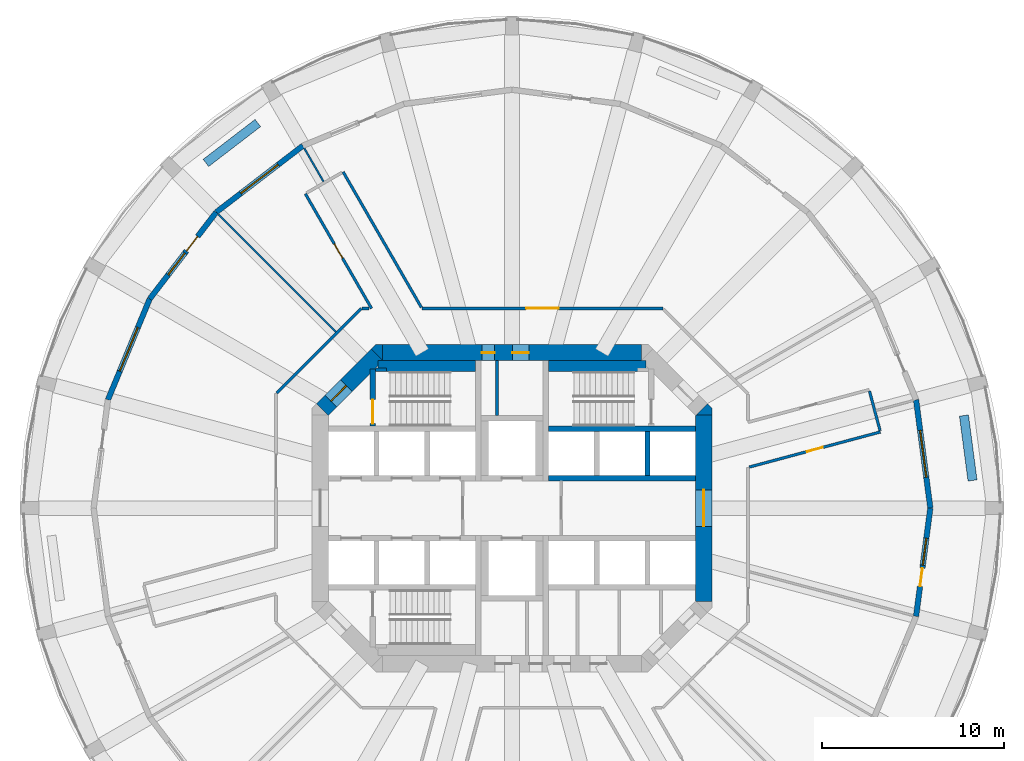
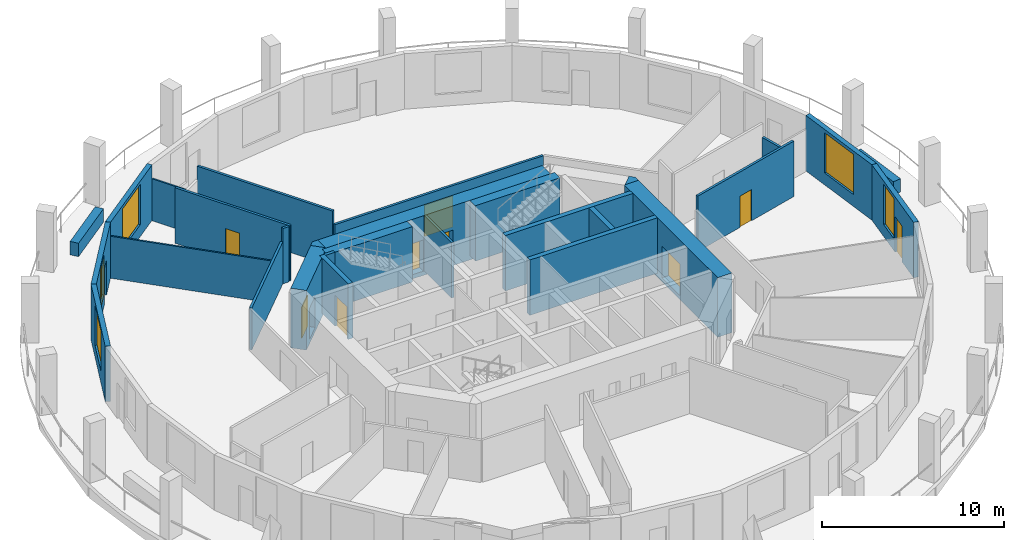
# One storey, part 5 of 9: 29 walls, 10 doors, 5 windows, 15 openings.
"""IFC4 building model written with IfcOpenShell, lengths in metres."""

from ifc_helpers import new_model, si_unit, direction, frame, frame_2d, origin, place, context, subcontext, project, spatial, polyline, rectangle, outline, extrude, material, layer, layer_set, type_object, element, fill, save


model = new_model("IFC4")

# Units and contexts
model_context = context("Model", 3, precision=1e-05, world=origin(), true_north=direction((0.0, 1.0)))
body_context = subcontext(model_context, "Body", "Model", "MODEL_VIEW")
ifc_project = project(units=[si_unit("LENGTHUNIT", "METRE"), si_unit("AREAUNIT", "SQUARE_METRE"), si_unit("VOLUMEUNIT", "CUBIC_METRE"), si_unit("PLANEANGLEUNIT", "RADIAN"), si_unit("MASSUNIT", "GRAM", prefix="KILO")], contexts=[model_context])

# Site, building, storey
site_placement = place(None, origin())
site = spatial("IfcSite", under=ifc_project, at=site_placement, CompositionType="ELEMENT")
building_placement = place(site_placement, origin())
building = spatial("IfcBuilding", under=site, at=building_placement, Name="Torre Triforio", CompositionType="ELEMENT")
storey_placement = place(building_placement, frame((0.0, 0.0, 59.0)))
storey = spatial("IfcBuildingStorey", under=building, at=storey_placement, Name="L12", CompositionType="ELEMENT", Elevation=59.0)

# Wall, openings, doors
ifc_material_1 = material(Name="Concrete C60", Category="concrete")
ifc_layer_1 = layer(ifc_material_1, 0.89990234375)
ifc_layer_set_1 = layer_set([ifc_layer_1], Name="Concrete C60")
wall_type_1 = type_object("IfcWallType", Name="Core wall 900 mm C60 EI 120", PredefinedType="SHEAR", material=ifc_layer_set_1)
wall_1_placement = place(storey_placement, frame((-7.1298828125, 8.550048828125, -0.280029296875), z_axis=(0.0, 0.0, 1.0), x_axis=(1.0, 0.0, 0.0)))
wall_1 = element("IfcWall", 1, at=wall_1_placement, inside=storey, type_object=wall_type_1, Name="Core wall", PredefinedType="SHEAR", context=body_context, shape_type="SweptSolid", body=[
    extrude(rectangle(XDim=14.259765625, YDim=0.89990234375, at=frame_2d((7.1298828125, 0.0))), origin(), (0.0, 0.0, 1.0), 4.0),
])
opening_1_placement = place(wall_1_placement, frame((5.47998046875, 0.0, 0.280029296875)))
opening_1 = element("IfcOpeningElement", 2, at=opening_1_placement, cuts=wall_1, Name="Opening RISER-N", PredefinedType="OPENING", context=body_context, shape_type="SweptSolid", body=[
    extrude(rectangle(XDim=0.699951171875, YDim=2.10009765625, at=frame_2d((0.35009765625, 1.050048828125))), frame((0.0, 0.4599609375, 0.0), z_axis=(0.0, -1.0, 0.0), x_axis=(1.0, 0.0, 0.0)), (0.0, 0.0, 1.0), 0.919921875),
])
opening_2_placement = place(wall_1_placement, frame((7.155029296875, 0.0, 0.280029296875)))
opening_2 = element("IfcOpeningElement", 3, at=opening_2_placement, cuts=wall_1, Name="Opening NE-01", PredefinedType="OPENING", context=body_context, shape_type="SweptSolid", body=[
    extrude(rectangle(XDim=0.89990234375, YDim=2.10009765625, at=frame_2d((0.449951171875, 1.050048828125))), frame((0.0, 0.4599609375, 0.0), z_axis=(0.0, -1.0, 0.0), x_axis=(1.0, 0.0, 0.0)), (0.0, 0.0, 1.0), 0.919921875),
])
ifc_material_2 = material(Name="Hollow metal fire door leaf")
door_type_1 = type_object("IfcDoorType", Name="Riser door 700 x 2100 EI 60", OperationType="NOTDEFINED", PredefinedType="DOOR", material=ifc_material_2)
door_1_placement = place(opening_1_placement, origin())
door_1 = element("IfcDoor", 4, at=door_1_placement, inside=storey, type_object=door_type_1, Name="Core door RISER-N", OperationType="SINGLE_SWING_LEFT", OverallHeight=2.10009765625, OverallWidth=0.699951171875, PredefinedType="DOOR", context=body_context, shape_type="SweptSolid", body=[
    extrude(rectangle(XDim=0.699951171875, YDim=2.10009765625, at=frame_2d((0.35009765625, 1.050048828125))), frame((0.0, 0.02490234375, 0.0), z_axis=(0.0, -1.0, 0.0), x_axis=(1.0, 0.0, 0.0)), (0.0, 0.0, 1.0), 0.050048828125),
])
fill(opening_1, door_1)
door_type_2 = type_object("IfcDoorType", Name="Room door 900 x 2100 EI 60", OperationType="NOTDEFINED", PredefinedType="DOOR", material=ifc_material_2)
door_2_placement = place(opening_2_placement, origin())
door_2 = element("IfcDoor", 5, at=door_2_placement, inside=storey, type_object=door_type_2, Name="Core door NE-01", OperationType="SINGLE_SWING_RIGHT", OverallHeight=2.10009765625, OverallWidth=0.89990234375, PredefinedType="DOOR", context=body_context, shape_type="SweptSolid", body=[
    extrude(rectangle(XDim=0.89990234375, YDim=2.10009765625, at=frame_2d((0.449951171875, 1.050048828125))), frame((0.0, 0.02490234375, 0.0), z_axis=(0.0, -1.0, 0.0), x_axis=(1.0, 0.0, 0.0)), (0.0, 0.0, 1.0), 0.050048828125),
])
fill(opening_2, door_2)

# Wall, opening, door
wall_2_placement = place(storey_placement, frame((10.550048828125, -5.1298828125, -0.280029296875), z_axis=(0.0, 0.0, 1.0), x_axis=(0.0, 1.0, 0.0)))
wall_2 = element("IfcWall", 6, at=wall_2_placement, inside=storey, type_object=wall_type_1, Name="Core wall", PredefinedType="SHEAR", context=body_context, shape_type="SweptSolid", body=[
    extrude(rectangle(XDim=10.259765625, YDim=0.89990234375, at=frame_2d((5.1298828125, 0.0))), origin(), (0.0, 0.0, 1.0), 4.0),
])
opening_3_placement = place(wall_2_placement, frame((4.1298828125, 0.0, 0.280029296875)))
opening_3 = element("IfcOpeningElement", 7, at=opening_3_placement, cuts=wall_2, Name="Opening E-RING", PredefinedType="OPENING", context=body_context, shape_type="SweptSolid", body=[
    extrude(rectangle(XDim=2.0, YDim=2.10009765625, at=frame_2d((1.0, 1.050048828125))), frame((0.0, 0.4599609375, 0.0), z_axis=(0.0, -1.0, 0.0), x_axis=(1.0, 0.0, 0.0)), (0.0, 0.0, 1.0), 0.919921875),
])
door_type_3 = type_object("IfcDoorType", Name="Lobby door 2000 x 2100 EI 60", OperationType="DOUBLE_DOOR_SINGLE_SWING", PredefinedType="DOOR", material=ifc_material_2)
door_3_placement = place(opening_3_placement, origin())
door_3 = element("IfcDoor", 8, at=door_3_placement, inside=storey, type_object=door_type_3, Name="Core door E-RING", OperationType="DOUBLE_DOOR_SINGLE_SWING", OverallHeight=2.10009765625, OverallWidth=2.0, PredefinedType="DOOR", context=body_context, shape_type="SweptSolid", body=[
    extrude(rectangle(XDim=2.0, YDim=2.10009765625, at=frame_2d((1.0, 1.050048828125))), frame((0.0, 0.02490234375, 0.0), z_axis=(0.0, -1.0, 0.0), x_axis=(1.0, 0.0, 0.0)), (0.0, 0.0, 1.0), 0.050048828125),
])
fill(opening_3, door_3)

wall_3_placement = place(storey_placement, frame((-10.418212890625, 5.418212890625, -0.280029296875), z_axis=(0.0, 0.0, 1.0), x_axis=(0.707106781187, 0.707106781187, 0.0)))
wall_3 = element("IfcWall", 9, at=wall_3_placement, inside=storey, type_object=wall_type_1, Name="Core wall", PredefinedType="SHEAR", context=body_context, shape_type="SweptSolid", body=[
    extrude(rectangle(XDim=4.24267578125, YDim=0.89990234375, at=frame_2d((2.121337890625, 0.0))), origin(), (0.0, 0.0, 1.0), 4.0),
])
opening_4_placement = place(wall_3_placement, frame((0.64990234375, 0.0, 0.280029296875)))
opening_4 = element("IfcOpeningElement", 10, at=opening_4_placement, cuts=wall_3, Name="Opening ST1-EXIT", PredefinedType="OPENING", context=body_context, shape_type="SweptSolid", body=[
    extrude(rectangle(XDim=1.199951171875, YDim=2.10009765625, at=frame_2d((0.60009765625, 1.050048828125))), frame((0.0, 0.4599609375, 0.0), z_axis=(0.0, -1.0, 0.0), x_axis=(1.0, 0.0, 0.0)), (0.0, 0.0, 1.0), 0.919921875),
])
door_type_4 = type_object("IfcDoorType", Name="Stair lobby door 1200 x 2100 EI 60", OperationType="NOTDEFINED", PredefinedType="DOOR", material=ifc_material_2)
door_4_placement = place(opening_4_placement, origin())
door_4 = element("IfcDoor", 11, at=door_4_placement, inside=storey, type_object=door_type_4, Name="Core door ST1-EXIT", OperationType="SINGLE_SWING_RIGHT", OverallHeight=2.10009765625, OverallWidth=1.199951171875, PredefinedType="DOOR", context=body_context, shape_type="SweptSolid", body=[
    extrude(rectangle(XDim=1.199951171875, YDim=2.10009765625, at=frame_2d((0.60009765625, 1.050048828125))), frame((0.0, 0.02490234375, 0.0), z_axis=(0.0, -1.0, 0.0), x_axis=(1.0, 0.0, 0.0)), (0.0, 0.0, 1.0), 0.050048828125),
])
fill(opening_4, door_4)

# Walls
wall_4_placement = place(storey_placement, frame((0.0, 0.0, -0.280029296875)))
element("IfcWall", 12, at=wall_4_placement, inside=storey, type_object=wall_type_1, Name="Core wall", PredefinedType="SHEAR", context=body_context, shape_type="SweptSolid", body=[
    extrude(outline(polyline([(11.0, 5.472900390625), (11.0, 5.1298828125), (10.1298828125, 5.1298828125), (10.736328125, 5.736328125), (11.0, 5.472900390625)])), origin(), (0.0, 0.0, 1.0), 4.0),
])
wall_5_placement = place(storey_placement, frame((0.0, 0.0, -0.280029296875)))
element("IfcWall", 13, at=wall_5_placement, inside=storey, type_object=wall_type_1, Name="Core wall", PredefinedType="SHEAR", context=body_context, shape_type="SweptSolid", body=[
    extrude(outline(polyline([(-7.472900390625, 9.0), (-7.1298828125, 9.0), (-7.1298828125, 8.1298828125), (-7.736328125, 8.736328125), (-7.472900390625, 9.0)])), origin(), (0.0, 0.0, 1.0), 4.0),
])
ifc_material_3 = material(Name="Plasterboard on metal studs")
ifc_layer_2 = layer(ifc_material_3, 0.14990234375)
ifc_layer_set_2 = layer_set([ifc_layer_2], Name="Plasterboard on metal studs")
wall_type_2 = type_object("IfcWallType", Name="Corridor and tenancy wall 150 mm EI 60", PredefinedType="PARTITIONING", material=ifc_layer_set_2)
wall_6_placement = place(storey_placement, frame((-12.93798828125, 6.327880859375, 0.0), z_axis=(0.0, 0.0, 1.0), x_axis=(0.707088206597, 0.707125355289, 0.0)))
element("IfcWall", 14, at=wall_6_placement, inside=storey, type_object=wall_type_2, Name="Partition 4", PredefinedType="PARTITIONING", context=body_context, shape_type="SweptSolid", body=[
    extrude(rectangle(XDim=6.572021484375, YDim=0.14990234375, at=frame_2d((3.2861328125, 0.0))), origin(), (0.0, 0.0, 1.0), 2.820068359375),
])
wall_7_placement = place(storey_placement, frame((-8.23828125, 10.97509765625, 0.0), z_axis=(0.0, 0.0, 1.0), x_axis=(1.0, 0.0, 0.0)))
element("IfcWall", 15, at=wall_7_placement, inside=storey, type_object=wall_type_2, Name="Partition 5", PredefinedType="PARTITIONING", context=body_context, shape_type="SweptSolid", body=[
    extrude(rectangle(XDim=0.38623046875, YDim=0.14990234375, at=frame_2d((0.193115234375, 0.0))), origin(), (0.0, 0.0, 1.0), 3.719970703125),
])

# Wall, opening, door
wall_8_placement = place(storey_placement, frame((-7.72216796875, 10.97509765625, 0.0), z_axis=(0.0, 0.0, 1.0), x_axis=(-0.499993290699, 0.866029277366, 0.0)))
wall_8 = element("IfcWall", 16, at=wall_8_placement, inside=storey, type_object=wall_type_2, Name="Partition 6", PredefinedType="PARTITIONING", context=body_context, shape_type="SweptSolid", body=[
    extrude(rectangle(XDim=7.28271484375, YDim=0.14990234375, at=frame_2d((3.641357421875, 0.0))), origin(), (0.0, 0.0, 1.0), 3.719970703125),
])
opening_5_placement = place(wall_8_placement, frame((3.19140625, 0.0, 0.0)))
opening_5 = element("IfcOpeningElement", 17, at=opening_5_placement, cuts=wall_8, Name="Opening N4-12", PredefinedType="OPENING", context=body_context, shape_type="SweptSolid", body=[
    extrude(rectangle(XDim=0.89990234375, YDim=2.10009765625, at=frame_2d((0.449951171875, 1.050048828125))), frame((0.0, 0.0849609375, 0.0), z_axis=(0.0, -1.0, 0.0), x_axis=(1.0, 0.0, 0.0)), (0.0, 0.0, 1.0), 0.169921875),
])
ifc_material_4 = material(Name="Timber", Category="wood")
door_type_5 = type_object("IfcDoorType", Name="Door 900 x 2100 single leaf EI 30", OperationType="NOTDEFINED", PredefinedType="DOOR", material=ifc_material_4)
door_5_placement = place(opening_5_placement, origin())
door_5 = element("IfcDoor", 18, at=door_5_placement, inside=storey, type_object=door_type_5, Name="Door N4-12", OperationType="SINGLE_SWING_LEFT", OverallHeight=2.10009765625, OverallWidth=0.89990234375, PredefinedType="DOOR", context=body_context, shape_type="SweptSolid", body=[
    extrude(rectangle(XDim=0.89990234375, YDim=2.10009765625, at=frame_2d((0.449951171875, 1.050048828125))), frame((0.0, 0.02490234375, 0.0), z_axis=(0.0, -1.0, 0.0), x_axis=(1.0, 0.0, 0.0)), (0.0, 0.0, 1.0), 0.050048828125),
])
fill(opening_5, door_5)

# Wall
wall_9_placement = place(storey_placement, frame((-9.28515625, 18.482421875, 0.0), z_axis=(0.0, 0.0, 1.0), x_axis=(0.49998445949, -0.866034375916, 0.0)))
element("IfcWall", 19, at=wall_9_placement, inside=storey, type_object=wall_type_2, Name="Partition 8", PredefinedType="PARTITIONING", context=body_context, shape_type="SweptSolid", body=[
    extrude(rectangle(XDim=8.603759765625, YDim=0.14990234375, at=frame_2d((4.3017578125, 0.0))), origin(), (0.0, 0.0, 1.0), 3.719970703125),
])

# Wall, opening, door
wall_10_placement = place(storey_placement, frame((-4.95068359375, 10.97509765625, 0.0), z_axis=(0.0, 0.0, 1.0), x_axis=(1.0, 0.0, 0.0)))
wall_10 = element("IfcWall", 20, at=wall_10_placement, inside=storey, type_object=wall_type_2, Name="Partition 9", PredefinedType="PARTITIONING", context=body_context, shape_type="SweptSolid", body=[
    extrude(rectangle(XDim=13.24169921875, YDim=0.14990234375, at=frame_2d((6.620849609375, 0.0))), origin(), (0.0, 0.0, 1.0), 2.820068359375),
])
opening_6_placement = place(wall_10_placement, frame((5.720703125, 0.0, 0.0)))
opening_6 = element("IfcOpeningElement", 21, at=opening_6_placement, cuts=wall_10, Name="Opening N4-11", PredefinedType="OPENING", context=body_context, shape_type="SweptSolid", body=[
    extrude(rectangle(XDim=1.800048828125, YDim=2.10009765625, at=frame_2d((0.89990234375, 1.050048828125))), frame((0.0, 0.0849609375, 0.0), z_axis=(0.0, -1.0, 0.0), x_axis=(1.0, 0.0, 0.0)), (0.0, 0.0, 1.0), 0.169921875),
])
door_type_6 = type_object("IfcDoorType", Name="Door 1800 x 2100 double leaf EI 30", OperationType="DOUBLE_DOOR_SINGLE_SWING", PredefinedType="DOOR", material=ifc_material_4)
door_6_placement = place(opening_6_placement, origin())
door_6 = element("IfcDoor", 22, at=door_6_placement, inside=storey, type_object=door_type_6, Name="Door N4-11", OperationType="DOUBLE_DOOR_SINGLE_SWING", OverallHeight=2.10009765625, OverallWidth=1.800048828125, PredefinedType="DOOR", context=body_context, shape_type="SweptSolid", body=[
    extrude(rectangle(XDim=1.800048828125, YDim=2.10009765625, at=frame_2d((0.89990234375, 1.050048828125))), frame((0.0, 0.02490234375, 0.0), z_axis=(0.0, -1.0, 0.0), x_axis=(1.0, 0.0, 0.0)), (0.0, 0.0, 1.0), 0.050048828125),
])
fill(opening_6, door_6)

# Wall
wall_11_placement = place(storey_placement, frame((19.65380859375, 6.430908203125, 0.0), z_axis=(0.0, 0.0, 1.0), x_axis=(0.258891558609, -0.965906393436, 0.0)))
element("IfcWall", 23, at=wall_11_placement, inside=storey, type_object=wall_type_2, Name="Partition 13", PredefinedType="PARTITIONING", context=body_context, shape_type="SweptSolid", body=[
    extrude(rectangle(XDim=2.25, YDim=0.14990234375, at=frame_2d((1.125, 0.0))), origin(), (0.0, 0.0, 1.0), 2.820068359375),
])

# Wall, opening, door
wall_12_placement = place(storey_placement, frame((20.255615234375, 4.185302734375, 0.0), z_axis=(0.0, 0.0, 1.0), x_axis=(-0.965924840231, -0.258822725092, 0.0)))
wall_12 = element("IfcWall", 24, at=wall_12_placement, inside=storey, type_object=wall_type_2, Name="Partition 14", PredefinedType="PARTITIONING", context=body_context, shape_type="SweptSolid", body=[
    extrude(rectangle(XDim=7.465087890625, YDim=0.14990234375, at=frame_2d((3.732421875, 0.0))), origin(), (0.0, 0.0, 1.0), 3.719970703125),
])
opening_7_placement = place(wall_12_placement, frame((3.282470703125, 0.0, 0.0)))
opening_7 = element("IfcOpeningElement", 25, at=opening_7_placement, cuts=wall_12, Name="Opening N4-09", PredefinedType="OPENING", context=body_context, shape_type="SweptSolid", body=[
    extrude(rectangle(XDim=0.89990234375, YDim=2.10009765625, at=frame_2d((0.449951171875, 1.050048828125))), frame((0.0, 0.0849609375, 0.0), z_axis=(0.0, -1.0, 0.0), x_axis=(1.0, 0.0, 0.0)), (0.0, 0.0, 1.0), 0.169921875),
])
door_7_placement = place(opening_7_placement, origin())
door_7 = element("IfcDoor", 26, at=door_7_placement, inside=storey, type_object=door_type_5, Name="Door N4-09", OperationType="SINGLE_SWING_LEFT", OverallHeight=2.10009765625, OverallWidth=0.89990234375, PredefinedType="DOOR", context=body_context, shape_type="SweptSolid", body=[
    extrude(rectangle(XDim=0.89990234375, YDim=2.10009765625, at=frame_2d((0.449951171875, 1.050048828125))), frame((0.0, 0.02490234375, 0.0), z_axis=(0.0, -1.0, 0.0), x_axis=(1.0, 0.0, 0.0)), (0.0, 0.0, 1.0), 0.050048828125),
])
fill(opening_7, door_7)

# Walls
ifc_layer_3 = layer(ifc_material_3, 0.10009765625)
ifc_layer_set_3 = layer_set([ifc_layer_3], Name="Plasterboard on metal studs")
wall_type_3 = type_object("IfcWallType", Name="Partition 100 mm board on metal studs", PredefinedType="PARTITIONING", material=ifc_layer_set_3)
wall_13_placement = place(storey_placement, frame((-10.36181640625, 17.947265625, 0.0), z_axis=(0.0, 0.0, 1.0), x_axis=(-0.500065834316, 0.865987390988, 0.0)))
element("IfcWall", 27, at=wall_13_placement, inside=storey, type_object=wall_type_3, Name="Partition 31", PredefinedType="PARTITIONING", context=body_context, shape_type="SweptSolid", body=[
    extrude(rectangle(XDim=2.113037109375, YDim=0.10009765625, at=frame_2d((1.056640625, 0.0))), origin(), (0.0, 0.0, 1.0), 2.820068359375),
])
wall_14_placement = place(storey_placement, frame((-9.68603515625, 9.68603515625, 0.0), z_axis=(0.0, 0.0, 1.0), x_axis=(-0.707106781187, 0.707106781187, 0.0)))
element("IfcWall", 28, at=wall_14_placement, inside=storey, type_object=wall_type_3, Name="Partition 32", PredefinedType="PARTITIONING", context=body_context, shape_type="SweptSolid", body=[
    extrude(rectangle(XDim=9.138427734375, YDim=0.10009765625, at=frame_2d((4.5693359375, 0.0))), origin(), (0.0, 0.0, 1.0), 2.820068359375),
])
ifc_material_5 = material(Name="Block and board partition")
ifc_layer_4 = layer(ifc_material_5, 0.14990234375)
ifc_layer_set_4 = layer_set([ifc_layer_4], Name="Block and board partition")
wall_type_4 = type_object("IfcWallType", Name="Partition 150 mm EI 120", PredefinedType="PARTITIONING", material=ifc_layer_set_4)
wall_15_placement = place(storey_placement, frame((-0.824951171875, 5.10009765625, 0.0), z_axis=(0.0, 0.0, 1.0), x_axis=(0.0, 1.0, 0.0)))
element("IfcWall", 29, at=wall_15_placement, inside=storey, type_object=wall_type_4, Name="Partition", PredefinedType="PARTITIONING", context=body_context, shape_type="SweptSolid", body=[
    extrude(rectangle(XDim=3.0, YDim=0.14990234375, at=frame_2d((1.5, 0.0))), origin(), (0.0, 0.0, 1.0), 3.719970703125),
])
ifc_material_6 = material(Name="Limestone cladding", Category="masonry")
ifc_layer_5 = layer(ifc_material_6, 0.10009765625)
ifc_material_7 = material(Name="Concrete C40", Category="concrete")
ifc_layer_6 = layer(ifc_material_7, 0.39990234375)
ifc_layer_set_5 = layer_set([ifc_layer_5, ifc_layer_6], Name="Limestone cladding / Concrete C40")
wall_type_5 = type_object("IfcWallType", Name="Planter wall 500", PredefinedType="PARAPET", material=ifc_layer_set_5)
wall_16_placement = place(storey_placement, frame((25.318603515625, 1.517578125, 0.0), z_axis=(0.0, 0.0, 1.0), x_axis=(-0.130542222659, 0.991442750795, 0.0)))
element("IfcWall", 30, at=wall_16_placement, inside=storey, type_object=wall_type_5, Name="Planter L12 bay 01", PredefinedType="PARAPET", context=body_context, shape_type="SweptSolid", body=[
    extrude(rectangle(XDim=3.60009765625, YDim=0.5, at=frame_2d((1.800048828125, 0.0))), origin(), (0.0, 0.0, 1.0), 0.89990234375),
])
wall_17_placement = place(storey_placement, frame((-13.9736328125, 21.16748046875, 0.0), z_axis=(0.0, 0.0, 1.0), x_axis=(-0.793359599829, -0.608753271334, 0.0)))
element("IfcWall", 31, at=wall_17_placement, inside=storey, type_object=wall_type_5, Name="Planter L12 bay 09", PredefinedType="PARAPET", context=body_context, shape_type="SweptSolid", body=[
    extrude(rectangle(XDim=3.599853515625, YDim=0.5, at=frame_2d((1.7998046875, 0.0))), origin(), (0.0, 0.0, 1.0), 0.89990234375),
])
ifc_layer_7 = layer(ifc_material_1, 0.300048828125)
ifc_layer_set_6 = layer_set([ifc_layer_7], Name="Concrete C60")
wall_type_6 = type_object("IfcWallType", Name="Shaft wall 300 mm C60 EI 120", PredefinedType="SOLIDWALL", material=ifc_layer_set_6)
for number, where, z_axis, x_axis, name in (
    (32, (2.0, 4.35009765625, 0.0), (0.0, 0.0, 1.0), (1.0, 0.0, 0.0), "Shaft wall"),
    (33, (2.0, 1.64990234375, 0.0), (0.0, 0.0, 1.0), (1.0, 0.0, 0.0), "Shaft wall"),
):
    element("IfcWall", number, at=place(storey_placement, frame(where, z_axis=z_axis, x_axis=x_axis)), inside=storey, type_object=wall_type_6, Name=name, PredefinedType="SOLIDWALL", context=body_context, shape_type="SweptSolid", body=[
        extrude(rectangle(XDim=8.10009765625, YDim=0.300048828125, at=frame_2d((4.050048828125, 0.0))), origin(), (0.0, 0.0, 1.0), 3.719970703125),
    ])
wall_18_placement = place(storey_placement, frame((7.449951171875, 1.800048828125, 0.0), z_axis=(0.0, 0.0, 1.0), x_axis=(0.0, 1.0, 0.0)))
element("IfcWall", 34, at=wall_18_placement, inside=storey, type_object=wall_type_6, Name="Shaft wall", PredefinedType="SOLIDWALL", context=body_context, shape_type="SweptSolid", body=[
    extrude(rectangle(XDim=2.39990234375, YDim=0.300048828125, at=frame_2d((1.199951171875, 0.0))), origin(), (0.0, 0.0, 1.0), 3.719970703125),
])
ifc_layer_8 = layer(ifc_material_1, 0.199951171875)
ifc_layer_set_7 = layer_set([ifc_layer_8], Name="Concrete C60")
wall_type_7 = type_object("IfcWallType", Name="Stair wall 200 mm C60 EI 120", PredefinedType="SHEAR", material=ifc_layer_set_7)
wall_19_placement = place(storey_placement, frame((-7.5, 7.60009765625, 0.0), z_axis=(0.0, 0.0, 1.0), x_axis=(1.0, 0.0, 0.0)))
element("IfcWall", 35, at=wall_19_placement, inside=storey, type_object=wall_type_7, Name="Stair wall", PredefinedType="SHEAR", context=body_context, shape_type="SweptSolid", body=[
    extrude(rectangle(XDim=0.60009765625, YDim=0.199951171875, at=frame_2d((0.300048828125, 0.0))), origin(), (0.0, 0.0, 1.0), 3.719970703125),
])

# Wall, opening, door
ifc_layer_9 = layer(ifc_material_1, 0.300048828125)
ifc_layer_set_8 = layer_set([ifc_layer_9], Name="Concrete C60")
wall_type_8 = type_object("IfcWallType", Name="Stair wall 300 mm C60 EI 120", PredefinedType="SHEAR", material=ifc_layer_set_8)
wall_20_placement = place(storey_placement, frame((-7.64990234375, 4.5, 0.0), z_axis=(0.0, 0.0, 1.0), x_axis=(0.0, 1.0, 0.0)))
wall_20 = element("IfcWall", 36, at=wall_20_placement, inside=storey, type_object=wall_type_8, Name="Stair wall", PredefinedType="SHEAR", context=body_context, shape_type="SweptSolid", body=[
    extrude(rectangle(XDim=3.139892578125, YDim=0.300048828125, at=frame_2d((1.56982421875, 0.0))), origin(), (0.0, 0.0, 1.0), 3.719970703125),
])
opening_8_placement = place(wall_20_placement, frame((0.139892578125, 0.0, 0.0)))
opening_8 = element("IfcOpeningElement", 37, at=opening_8_placement, cuts=wall_20, Name="Opening ST1-STA", PredefinedType="OPENING", context=body_context, shape_type="SweptSolid", body=[
    extrude(rectangle(XDim=1.320068359375, YDim=2.10009765625, at=frame_2d((0.66015625, 1.050048828125))), frame((0.0, 0.159912109375, 0.0), z_axis=(0.0, -1.0, 0.0), x_axis=(1.0, 0.0, 0.0)), (0.0, 0.0, 1.0), 0.320068359375),
])
door_type_7 = type_object("IfcDoorType", Name="Stair door 1320 x 2100 EI 90", OperationType="DOUBLE_DOOR_SINGLE_SWING", PredefinedType="DOOR", material=ifc_material_2)
door_8_placement = place(opening_8_placement, origin())
door_8 = element("IfcDoor", 38, at=door_8_placement, inside=storey, type_object=door_type_7, Name="Core door ST1-ST", OperationType="DOUBLE_DOOR_SINGLE_SWING", OverallHeight=2.10009765625, OverallWidth=1.320068359375, PredefinedType="DOOR", context=body_context, shape_type="SweptSolid", body=[
    extrude(rectangle(XDim=1.320068359375, YDim=2.10009765625, at=frame_2d((0.66015625, 1.050048828125))), frame((0.0, 0.02490234375, 0.0), z_axis=(0.0, -1.0, 0.0), x_axis=(1.0, 0.0, 0.0)), (0.0, 0.0, 1.0), 0.050048828125),
])
fill(opening_8, door_8)

# Walls
ifc_layer_10 = layer(ifc_material_1, 0.60009765625)
ifc_layer_set_9 = layer_set([ifc_layer_10], Name="Concrete C60")
wall_type_9 = type_object("IfcWallType", Name="Stair wall 600 mm C60 EI 120", PredefinedType="SHEAR", material=ifc_layer_set_9)
for number, where, z_axis, x_axis, name in (
    (39, (-7.3701171875, 7.800048828125, 0.0), (0.0, 0.0, 1.0), (1.0, 0.0, 0.0), "Stair wall"),
    (40, (2.0, 7.800048828125, 0.0), (0.0, 0.0, 1.0), (1.0, 0.0, 0.0), "Stair wall"),
):
    element("IfcWall", number, at=place(storey_placement, frame(where, z_axis=z_axis, x_axis=x_axis)), inside=storey, type_object=wall_type_9, Name=name, PredefinedType="SHEAR", context=body_context, shape_type="SweptSolid", body=[
        extrude(rectangle(XDim=5.3701171875, YDim=0.60009765625, at=frame_2d((2.68505859375, 0.0))), origin(), (0.0, 0.0, 1.0), 3.719970703125),
    ])

# Wall, opening, window
ifc_layer_11 = layer(ifc_material_6, 0.10009765625)
ifc_layer_12 = layer(ifc_material_7, 0.199951171875)
ifc_layer_set_10 = layer_set([ifc_layer_11, ifc_layer_12], Name="Limestone cladding / Concrete C40")
wall_type_10 = type_object("IfcWallType", Name="Stone-faced composite wall 300", PredefinedType="STANDARD", material=ifc_layer_set_10)
wall_21_placement = place(storey_placement, frame((23.0, 0.0, 0.0), z_axis=(0.0, 0.0, 1.0), x_axis=(-0.130522880875, 0.991445297315, 0.0)))
wall_21 = element("IfcWall", 41, at=wall_21_placement, inside=storey, type_object=wall_type_10, Name="External wall L12 bay 01", PredefinedType="STANDARD", context=body_context, shape_type="SweptSolid", body=[
    extrude(rectangle(XDim=6.004150390625, YDim=0.300048828125, at=frame_2d((3.001953125, 0.0))), origin(), (0.0, 0.0, 1.0), 3.719970703125),
])
opening_9_placement = place(wall_21_placement, frame((1.7021484375, 0.0, 0.800048828125)))
opening_9 = element("IfcOpeningElement", 42, at=opening_9_placement, cuts=wall_21, Name="Opening N4-W01", PredefinedType="OPENING", context=body_context, shape_type="SweptSolid", body=[
    extrude(rectangle(XDim=2.60009765625, YDim=2.699951171875, at=frame_2d((1.300048828125, 1.35009765625))), frame((0.0, 0.159912109375, 0.0), z_axis=(0.0, -1.0, 0.0), x_axis=(1.0, 0.0, 0.0)), (0.0, 0.0, 1.0), 0.320068359375),
])
ifc_material_8 = material(Name="Aluminium frame with clear double glazing", Category="aluminium")
window_type_1 = type_object("IfcWindowType", Name="Punched window 2600 x 2700", PartitioningType="DOUBLE_PANEL_VERTICAL", PredefinedType="WINDOW", material=ifc_material_8)
window_1_placement = place(opening_9_placement, origin())
window_1 = element("IfcWindow", 43, at=window_1_placement, inside=storey, type_object=window_type_1, Name="Window EWN2 L12 bay 01", OverallHeight=2.699951171875, OverallWidth=2.60009765625, PartitioningType="SINGLE_PANEL", PredefinedType="WINDOW", context=body_context, shape_type="SweptSolid", body=[
    extrude(rectangle(XDim=2.60009765625, YDim=2.699951171875, at=frame_2d((1.300048828125, 1.35009765625))), frame((0.0, 0.030029296875, 0.0), z_axis=(0.0, -1.0, 0.0), x_axis=(1.0, 0.0, 0.0)), (0.0, 0.0, 1.0), 0.06005859375),
])
fill(opening_9, window_1)

wall_22_placement = place(storey_placement, frame((-11.5, 19.918701171875, 0.0), z_axis=(0.0, 0.0, 1.0), x_axis=(-0.793339924758, -0.608778912074, 0.0)))
wall_22 = element("IfcWall", 44, at=wall_22_placement, inside=storey, type_object=wall_type_10, Name="External wall L12 bay 09", PredefinedType="STANDARD", context=body_context, shape_type="SweptSolid", body=[
    extrude(rectangle(XDim=6.004150390625, YDim=0.300048828125, at=frame_2d((3.001953125, 0.0))), origin(), (0.0, 0.0, 1.0), 3.719970703125),
])
opening_10_placement = place(wall_22_placement, frame((1.7021484375, 0.0, 0.800048828125)))
opening_10 = element("IfcOpeningElement", 45, at=opening_10_placement, cuts=wall_22, Name="Opening N4-W09", PredefinedType="OPENING", context=body_context, shape_type="SweptSolid", body=[
    extrude(rectangle(XDim=2.60009765625, YDim=2.699951171875, at=frame_2d((1.300048828125, 1.35009765625))), frame((0.0, 0.159912109375, 0.0), z_axis=(0.0, -1.0, 0.0), x_axis=(1.0, 0.0, 0.0)), (0.0, 0.0, 1.0), 0.320068359375),
])
window_2_placement = place(opening_10_placement, origin())
window_2 = element("IfcWindow", 46, at=window_2_placement, inside=storey, type_object=window_type_1, Name="Window EWN2 L12 bay 09", OverallHeight=2.699951171875, OverallWidth=2.60009765625, PartitioningType="SINGLE_PANEL", PredefinedType="WINDOW", context=body_context, shape_type="SweptSolid", body=[
    extrude(rectangle(XDim=2.60009765625, YDim=2.699951171875, at=frame_2d((1.300048828125, 1.35009765625))), frame((0.0, 0.030029296875, 0.0), z_axis=(0.0, -1.0, 0.0), x_axis=(1.0, 0.0, 0.0)), (0.0, 0.0, 1.0), 0.06005859375),
])
fill(opening_10, window_2)

# Wall, openings, door, window
wall_23_placement = place(storey_placement, frame((-16.263427734375, 16.263427734375, 0.0), z_axis=(0.0, 0.0, 1.0), x_axis=(-0.608778912074, -0.793339924758, 0.0)))
wall_23 = element("IfcWall", 47, at=wall_23_placement, inside=storey, type_object=wall_type_10, Name="External wall L12 bay 10", PredefinedType="STANDARD", context=body_context, shape_type="SweptSolid", body=[
    extrude(rectangle(XDim=6.004150390625, YDim=0.300048828125, at=frame_2d((3.001953125, 0.0))), origin(), (0.0, 0.0, 1.0), 3.719970703125),
])
opening_11_placement = place(wall_23_placement, frame((1.677001953125, 0.0, 0.0)))
opening_11 = element("IfcOpeningElement", 48, at=opening_11_placement, cuts=wall_23, Name="Opening N4-D10", PredefinedType="OPENING", context=body_context, shape_type="SweptSolid", body=[
    extrude(rectangle(XDim=1.0, YDim=2.39990234375, at=frame_2d((0.5, 1.199951171875))), frame((0.0, 0.159912109375, 0.0), z_axis=(0.0, -1.0, 0.0), x_axis=(1.0, 0.0, 0.0)), (0.0, 0.0, 1.0), 0.320068359375),
])
opening_12_placement = place(wall_23_placement, frame((2.8271484375, 0.0, 0.800048828125)))
opening_12 = element("IfcOpeningElement", 49, at=opening_12_placement, cuts=wall_23, Name="Opening N4-W10A", PredefinedType="OPENING", context=body_context, shape_type="SweptSolid", body=[
    extrude(rectangle(XDim=1.5, YDim=2.699951171875, at=frame_2d((0.75, 1.35009765625))), frame((0.0, 0.159912109375, 0.0), z_axis=(0.0, -1.0, 0.0), x_axis=(1.0, 0.0, 0.0)), (0.0, 0.0, 1.0), 0.320068359375),
])
door_type_8 = type_object("IfcDoorType", Name="Loggia door 1000 x 2400", OperationType="NOTDEFINED", PredefinedType="DOOR", material=ifc_material_8)
door_9_placement = place(opening_11_placement, origin())
door_9 = element("IfcDoor", 50, at=door_9_placement, inside=storey, type_object=door_type_8, Name="Loggia door L12 bay 10", OperationType="SINGLE_SWING_LEFT", OverallHeight=2.39990234375, OverallWidth=1.0, PredefinedType="DOOR", context=body_context, shape_type="SweptSolid", body=[
    extrude(rectangle(XDim=1.0, YDim=2.39990234375, at=frame_2d((0.5, 1.199951171875))), frame((0.0, 0.02490234375, 0.0), z_axis=(0.0, -1.0, 0.0), x_axis=(1.0, 0.0, 0.0)), (0.0, 0.0, 1.0), 0.050048828125),
])
fill(opening_11, door_9)
window_type_2 = type_object("IfcWindowType", Name="Side window 1500 x 2700", PartitioningType="SINGLE_PANEL", PredefinedType="WINDOW", material=ifc_material_8)
window_3_placement = place(opening_12_placement, origin())
window_3 = element("IfcWindow", 51, at=window_3_placement, inside=storey, type_object=window_type_2, Name="Side window EWN12 L12 bay 10", OverallHeight=2.699951171875, OverallWidth=1.5, PartitioningType="SINGLE_PANEL", PredefinedType="WINDOW", context=body_context, shape_type="SweptSolid", body=[
    extrude(rectangle(XDim=1.5, YDim=2.699951171875, at=frame_2d((0.75, 1.35009765625))), frame((0.0, 0.030029296875, 0.0), z_axis=(0.0, -1.0, 0.0), x_axis=(1.0, 0.0, 0.0)), (0.0, 0.0, 1.0), 0.06005859375),
])
fill(opening_12, window_3)

# Wall, opening, window
wall_24_placement = place(storey_placement, frame((-19.918701171875, 11.5, 0.0), z_axis=(0.0, 0.0, 1.0), x_axis=(-0.382671411433, -0.923884511653, 0.0)))
wall_24 = element("IfcWall", 52, at=wall_24_placement, inside=storey, type_object=wall_type_10, Name="External wall L12 bay 11", PredefinedType="STANDARD", context=body_context, shape_type="SweptSolid", body=[
    extrude(rectangle(XDim=6.004150390625, YDim=0.300048828125, at=frame_2d((3.001953125, 0.0))), origin(), (0.0, 0.0, 1.0), 3.719970703125),
])
opening_13_placement = place(wall_24_placement, frame((1.7021484375, 0.0, 0.800048828125)))
opening_13 = element("IfcOpeningElement", 53, at=opening_13_placement, cuts=wall_24, Name="Opening N4-W11", PredefinedType="OPENING", context=body_context, shape_type="SweptSolid", body=[
    extrude(rectangle(XDim=2.60009765625, YDim=2.699951171875, at=frame_2d((1.300048828125, 1.35009765625))), frame((0.0, 0.159912109375, 0.0), z_axis=(0.0, -1.0, 0.0), x_axis=(1.0, 0.0, 0.0)), (0.0, 0.0, 1.0), 0.320068359375),
])
window_4_placement = place(opening_13_placement, origin())
window_4 = element("IfcWindow", 54, at=window_4_placement, inside=storey, type_object=window_type_1, Name="Window EWN2 L12 bay 11", OverallHeight=2.699951171875, OverallWidth=2.60009765625, PartitioningType="SINGLE_PANEL", PredefinedType="WINDOW", context=body_context, shape_type="SweptSolid", body=[
    extrude(rectangle(XDim=2.60009765625, YDim=2.699951171875, at=frame_2d((1.300048828125, 1.35009765625))), frame((0.0, 0.030029296875, 0.0), z_axis=(0.0, -1.0, 0.0), x_axis=(1.0, 0.0, 0.0)), (0.0, 0.0, 1.0), 0.06005859375),
])
fill(opening_13, window_4)

# Wall, openings, door, window
wall_25_placement = place(storey_placement, frame((22.21630859375, -5.952880859375, 0.0), z_axis=(0.0, 0.0, 1.0), x_axis=(0.130522880875, 0.991445297315, 0.0)))
wall_25 = element("IfcWall", 55, at=wall_25_placement, inside=storey, type_object=wall_type_10, Name="External wall L12 bay 24", PredefinedType="STANDARD", context=body_context, shape_type="SweptSolid", body=[
    extrude(rectangle(XDim=6.004150390625, YDim=0.300048828125, at=frame_2d((3.001953125, 0.0))), origin(), (0.0, 0.0, 1.0), 3.719970703125),
])
opening_14_placement = place(wall_25_placement, frame((1.677001953125, 0.0, 0.0)))
opening_14 = element("IfcOpeningElement", 56, at=opening_14_placement, cuts=wall_25, Name="Opening N4-D24", PredefinedType="OPENING", context=body_context, shape_type="SweptSolid", body=[
    extrude(rectangle(XDim=1.0, YDim=2.39990234375, at=frame_2d((0.5, 1.199951171875))), frame((0.0, 0.159912109375, 0.0), z_axis=(0.0, -1.0, 0.0), x_axis=(1.0, 0.0, 0.0)), (0.0, 0.0, 1.0), 0.320068359375),
])
opening_15_placement = place(wall_25_placement, frame((2.8271484375, 0.0, 0.800048828125)))
opening_15 = element("IfcOpeningElement", 57, at=opening_15_placement, cuts=wall_25, Name="Opening N4-W24A", PredefinedType="OPENING", context=body_context, shape_type="SweptSolid", body=[
    extrude(rectangle(XDim=1.5, YDim=2.699951171875, at=frame_2d((0.75, 1.35009765625))), frame((0.0, 0.159912109375, 0.0), z_axis=(0.0, -1.0, 0.0), x_axis=(1.0, 0.0, 0.0)), (0.0, 0.0, 1.0), 0.320068359375),
])
door_10_placement = place(opening_14_placement, origin())
door_10 = element("IfcDoor", 58, at=door_10_placement, inside=storey, type_object=door_type_8, Name="Loggia door L12 bay 24", OperationType="SINGLE_SWING_LEFT", OverallHeight=2.39990234375, OverallWidth=1.0, PredefinedType="DOOR", context=body_context, shape_type="SweptSolid", body=[
    extrude(rectangle(XDim=1.0, YDim=2.39990234375, at=frame_2d((0.5, 1.199951171875))), frame((0.0, 0.02490234375, 0.0), z_axis=(0.0, -1.0, 0.0), x_axis=(1.0, 0.0, 0.0)), (0.0, 0.0, 1.0), 0.050048828125),
])
fill(opening_14, door_10)
window_5_placement = place(opening_15_placement, origin())
window_5 = element("IfcWindow", 59, at=window_5_placement, inside=storey, type_object=window_type_2, Name="Side window EWN12 L12 bay 24", OverallHeight=2.699951171875, OverallWidth=1.5, PartitioningType="SINGLE_PANEL", PredefinedType="WINDOW", context=body_context, shape_type="SweptSolid", body=[
    extrude(rectangle(XDim=1.5, YDim=2.699951171875, at=frame_2d((0.75, 1.35009765625))), frame((0.0, 0.030029296875, 0.0), z_axis=(0.0, -1.0, 0.0), x_axis=(1.0, 0.0, 0.0)), (0.0, 0.0, 1.0), 0.06005859375),
])
fill(opening_15, window_5)

save(model, "model.ifc")
